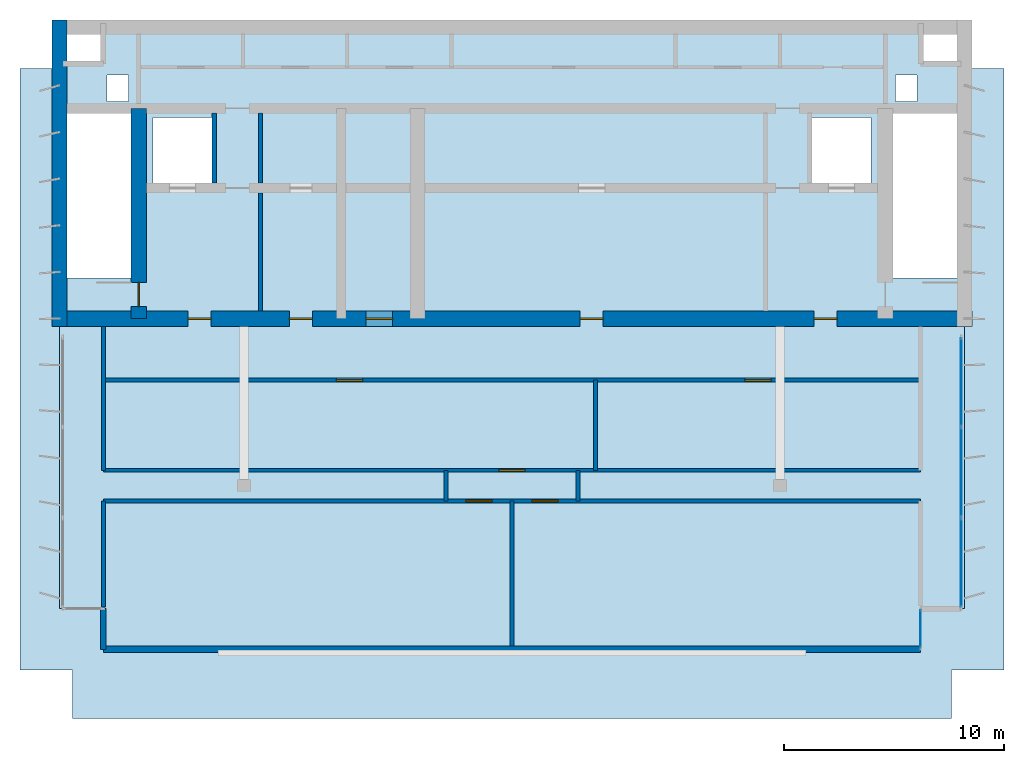
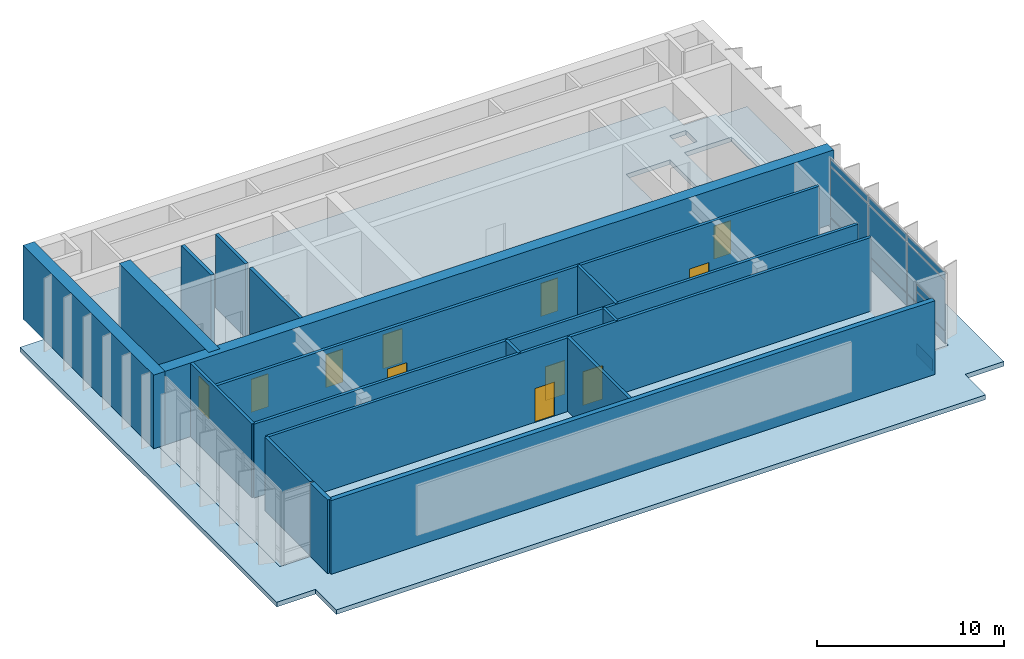
# One storey, part 3 of 5: 17 walls, 12 plates, 11 doors, 2 slabs, 11 openings, 2 elements without a shape of their own.
"""IFC4 building model written with IfcOpenShell, lengths in metres."""

from ifc_helpers import new_model, si_unit, direction, frame, frame_2d, origin, origin_2d, place, context, subcontext, project, spatial, polyline, rectangle, outline, extrude, material, layer, layer_set, type_object, element, fill, aggregate, save


model = new_model("IFC4")

# Units and contexts
model_context = context("Model", 3, precision=1e-05, world=origin(), true_north=direction((0.0, 1.0)))
body_context = subcontext(model_context, "Body", "Model", "MODEL_VIEW")
ifc_project = project(units=[si_unit("LENGTHUNIT", "METRE"), si_unit("AREAUNIT", "SQUARE_METRE"), si_unit("VOLUMEUNIT", "CUBIC_METRE"), si_unit("PLANEANGLEUNIT", "RADIAN"), si_unit("MASSUNIT", "GRAM", prefix="KILO")], contexts=[model_context])

# Site, building, storey
site_placement = place(None, origin())
site = spatial("IfcSite", under=ifc_project, at=site_placement, CompositionType="ELEMENT")
building_placement = place(site_placement, origin())
building = spatial("IfcBuilding", under=site, at=building_placement, Name="Caelmar Bay Residences", CompositionType="ELEMENT")
storey_placement = place(building_placement, frame((0.0, 0.0, 300.39990234375)))
storey = spatial("IfcBuildingStorey", under=building, at=storey_placement, Name="L82", CompositionType="ELEMENT", Elevation=300.39990234375)

# Curtain wall, plates
ifc_material_1 = material(Name="Anodised bronze aluminium 6063-T6 and laminated glass", Category="aluminium")
ifc_layer_1 = layer(ifc_material_1, 0.179931640625)
ifc_layer_set_1 = layer_set([ifc_layer_1], Name="Anodised bronze aluminium 6063-T6 and laminated glass")
curtain_wall_type_1 = type_object("IfcCurtainWallType", Name="CW6-NTC", PredefinedType="NOTDEFINED", material=ifc_layer_set_1)
curtain_wall_1_placement = place(storey_placement, origin())
curtain_wall_1 = element("IfcCurtainWall", 1, at=curtain_wall_1_placement, inside=storey, type_object=curtain_wall_type_1, Name="CW6 curtain wall L82", PredefinedType="NOTDEFINED")
ifc_material_2 = material(Name="Bronze-tinted laminated low-E hurricane glass 28 mm", Category="glass")
ifc_layer_2 = layer(ifc_material_2, 0.028076171875)
ifc_layer_set_2 = layer_set([ifc_layer_2], Name="Bronze-tinted laminated low-E hurricane glass 28 mm")
plate_type_1 = type_object("IfcPlateType", Name="CWP-GLZ28", PredefinedType="CURTAIN_PANEL", material=ifc_layer_set_2)
plate_1_placement = place(storey_placement, frame((57.5, 22.875, 0.080078125), z_axis=(0.0, 0.0, 1.0), x_axis=(0.0, 1.0, 0.0)))
plate_1 = element("IfcPlate", 2, at=plate_1_placement, type_object=plate_type_1, Name="CW6 panel 1.1", PredefinedType="CURTAIN_PANEL", context=body_context, shape_type="SweptSolid", body=[
    extrude(rectangle(XDim=1.68994140625, YDim=0.028076171875, at=origin_2d()), origin(), (0.0, 0.0, 1.0), 0.780029296875),
])
plate_2_placement = place(storey_placement, frame((57.5, 22.875, 0.940185546875), z_axis=(0.0, 0.0, 1.0), x_axis=(0.0, 1.0, 0.0)))
plate_2 = element("IfcPlate", 3, at=plate_2_placement, type_object=plate_type_1, Name="CW6 panel 1.2", PredefinedType="CURTAIN_PANEL", context=body_context, shape_type="SweptSolid", body=[
    extrude(rectangle(XDim=1.68994140625, YDim=0.028076171875, at=origin_2d()), origin(), (0.0, 0.0, 1.0), 3.27001953125),
])
plate_3_placement = place(storey_placement, frame((57.5, 22.875, 4.2900390625), z_axis=(0.0, 0.0, 1.0), x_axis=(0.0, 1.0, 0.0)))
plate_3 = element("IfcPlate", 4, at=plate_3_placement, type_object=plate_type_1, Name="CW6 panel 1.3", PredefinedType="CURTAIN_PANEL", context=body_context, shape_type="SweptSolid", body=[
    extrude(rectangle(XDim=1.68994140625, YDim=0.028076171875, at=origin_2d()), origin(), (0.0, 0.0, 1.0), 0.429931640625),
])
aggregate(curtain_wall_1, [plate_1, plate_2, plate_3])

ifc_layer_3 = layer(ifc_material_1, 0.179931640625)
ifc_layer_set_3 = layer_set([ifc_layer_3], Name="Anodised bronze aluminium 6063-T6 and laminated glass")
curtain_wall_type_2 = type_object("IfcCurtainWallType", Name="CW7-CRN", PredefinedType="NOTDEFINED", material=ifc_layer_set_3)
curtain_wall_2_placement = place(storey_placement, origin())
curtain_wall_2 = element("IfcCurtainWall", 5, at=curtain_wall_2_placement, inside=storey, type_object=curtain_wall_type_2, Name="CW7 curtain wall L82", PredefinedType="NOTDEFINED")
ifc_material_3 = material(Name="Bronze-tinted laminated low-E hurricane glass 32 mm", Category="glass")
ifc_layer_4 = layer(ifc_material_3, 0.031982421875)
ifc_layer_set_4 = layer_set([ifc_layer_4], Name="Bronze-tinted laminated low-E hurricane glass 32 mm")
plate_type_2 = type_object("IfcPlateType", Name="CWP-GLZ32", PredefinedType="CURTAIN_PANEL", material=ifc_layer_set_4)
plate_4_placement = place(storey_placement, frame((59.35009765625, 34.11328125, 0.080078125), z_axis=(0.0, 0.0, 1.0), x_axis=(0.0, -1.0, 0.0)))
plate_4 = element("IfcPlate", 6, at=plate_4_placement, type_object=plate_type_2, Name="CW7 panel 1.1", PredefinedType="CURTAIN_PANEL", context=body_context, shape_type="SweptSolid", body=[
    extrude(rectangle(XDim=4.013427734375, YDim=0.031982421875, at=origin_2d()), origin(), (0.0, 0.0, 1.0), 0.780029296875),
])
plate_5_placement = place(storey_placement, frame((59.35009765625, 34.11328125, 0.940185546875), z_axis=(0.0, 0.0, 1.0), x_axis=(0.0, -1.0, 0.0)))
plate_5 = element("IfcPlate", 7, at=plate_5_placement, type_object=plate_type_2, Name="CW7 panel 1.2", PredefinedType="CURTAIN_PANEL", context=body_context, shape_type="SweptSolid", body=[
    extrude(rectangle(XDim=4.013427734375, YDim=0.031982421875, at=origin_2d()), origin(), (0.0, 0.0, 1.0), 3.27001953125),
])
plate_6_placement = place(storey_placement, frame((59.35009765625, 34.11328125, 4.2900390625), z_axis=(0.0, 0.0, 1.0), x_axis=(0.0, -1.0, 0.0)))
plate_6 = element("IfcPlate", 8, at=plate_6_placement, type_object=plate_type_2, Name="CW7 panel 1.3", PredefinedType="CURTAIN_PANEL", context=body_context, shape_type="SweptSolid", body=[
    extrude(rectangle(XDim=4.013427734375, YDim=0.031982421875, at=origin_2d()), origin(), (0.0, 0.0, 1.0), 0.429931640625),
])
plate_7_placement = place(storey_placement, frame((59.35009765625, 30.0, 0.080078125), z_axis=(0.0, 0.0, 1.0), x_axis=(0.0, -1.0, 0.0)))
plate_7 = element("IfcPlate", 9, at=plate_7_placement, type_object=plate_type_2, Name="CW7 panel 2.1", PredefinedType="CURTAIN_PANEL", context=body_context, shape_type="SweptSolid", body=[
    extrude(rectangle(XDim=4.05322265625, YDim=0.031982421875, at=origin_2d()), origin(), (0.0, 0.0, 1.0), 0.780029296875),
])
plate_8_placement = place(storey_placement, frame((59.35009765625, 30.0, 0.940185546875), z_axis=(0.0, 0.0, 1.0), x_axis=(0.0, -1.0, 0.0)))
plate_8 = element("IfcPlate", 10, at=plate_8_placement, type_object=plate_type_2, Name="CW7 panel 2.2", PredefinedType="CURTAIN_PANEL", context=body_context, shape_type="SweptSolid", body=[
    extrude(rectangle(XDim=4.05322265625, YDim=0.031982421875, at=origin_2d()), origin(), (0.0, 0.0, 1.0), 3.27001953125),
])
plate_9_placement = place(storey_placement, frame((59.35009765625, 30.0, 4.2900390625), z_axis=(0.0, 0.0, 1.0), x_axis=(0.0, -1.0, 0.0)))
plate_9 = element("IfcPlate", 11, at=plate_9_placement, type_object=plate_type_2, Name="CW7 panel 2.3", PredefinedType="CURTAIN_PANEL", context=body_context, shape_type="SweptSolid", body=[
    extrude(rectangle(XDim=4.05322265625, YDim=0.031982421875, at=origin_2d()), origin(), (0.0, 0.0, 1.0), 0.429931640625),
])
plate_10_placement = place(storey_placement, frame((59.35009765625, 25.88671875, 0.080078125), z_axis=(0.0, 0.0, 1.0), x_axis=(0.0, -1.0, 0.0)))
plate_10 = element("IfcPlate", 12, at=plate_10_placement, type_object=plate_type_2, Name="CW7 panel 3.1", PredefinedType="CURTAIN_PANEL", context=body_context, shape_type="SweptSolid", body=[
    extrude(rectangle(XDim=4.013427734375, YDim=0.031982421875, at=origin_2d()), origin(), (0.0, 0.0, 1.0), 0.780029296875),
])
plate_11_placement = place(storey_placement, frame((59.35009765625, 25.88671875, 0.940185546875), z_axis=(0.0, 0.0, 1.0), x_axis=(0.0, -1.0, 0.0)))
plate_11 = element("IfcPlate", 13, at=plate_11_placement, type_object=plate_type_2, Name="CW7 panel 3.2", PredefinedType="CURTAIN_PANEL", context=body_context, shape_type="SweptSolid", body=[
    extrude(rectangle(XDim=4.013427734375, YDim=0.031982421875, at=origin_2d()), origin(), (0.0, 0.0, 1.0), 3.27001953125),
])
plate_12_placement = place(storey_placement, frame((59.35009765625, 25.88671875, 4.2900390625), z_axis=(0.0, 0.0, 1.0), x_axis=(0.0, -1.0, 0.0)))
plate_12 = element("IfcPlate", 14, at=plate_12_placement, type_object=plate_type_2, Name="CW7 panel 3.3", PredefinedType="CURTAIN_PANEL", context=body_context, shape_type="SweptSolid", body=[
    extrude(rectangle(XDim=4.013427734375, YDim=0.031982421875, at=origin_2d()), origin(), (0.0, 0.0, 1.0), 0.429931640625),
])
aggregate(curtain_wall_2, [plate_4, plate_5, plate_6, plate_7, plate_8, plate_9, plate_10, plate_11, plate_12])

# Slabs
ifc_material_4 = material(Name="Concrete f'c 40 MPa (6,000 psi)", Category="concrete")
ifc_layer_5 = layer(ifc_material_4, 0.300048828125)
ifc_layer_set_5 = layer_set([ifc_layer_5], Name="Concrete f'c 40 MPa (6,000 psi)")
slab_type_1 = type_object("IfcSlabType", Name="SLB-CRN-300", PredefinedType="ROOF", material=ifc_layer_set_5)
slab_1_placement = place(storey_placement, frame((0.0, 0.0, -0.2998046875)))
element("IfcSlab", 15, at=slab_1_placement, inside=storey, type_object=slab_type_1, Name="L82 Exterior Stepped Terrace Roof Slab 1", PredefinedType="ROOF", context=body_context, shape_type="SweptSolid", body=[
    extrude(outline(polyline([(59.5, 48.39990234375), (59.5, 23.800048828125), (57.5, 23.800048828125), (57.5, 21.800048828125), (20.300048828125, 21.800048828125), (20.300048828125, 23.800048828125), (18.300048828125, 23.800048828125), (18.300048828125, 48.39990234375), (16.5, 48.39990234375), (16.5, 21.0), (18.89990234375, 21.0), (18.89990234375, 18.800048828125), (58.89990234375, 18.800048828125), (58.89990234375, 21.0), (61.300048828125, 21.0), (61.300048828125, 48.39990234375), (59.5, 48.39990234375)])), origin(), (0.0, 0.0, 1.0), 0.2998046875),
])
ifc_layer_6 = layer(ifc_material_4, 0.300048828125)
ifc_layer_set_6 = layer_set([ifc_layer_6], Name="Concrete f'c 40 MPa (6,000 psi)")
slab_type_2 = type_object("IfcSlabType", Name="SLB-POD-300", PredefinedType="FLOOR", material=ifc_layer_set_6)
slab_2_placement = place(storey_placement, frame((0.0, 0.0, -0.2998046875)))
element("IfcSlab", 16, at=slab_2_placement, inside=storey, type_object=slab_type_2, Name="L82 Structural Floor Slab", PredefinedType="FLOOR", context=body_context, shape_type="SweptSolid", body=[
    extrude(outline(polyline([(20.300048828125, 21.800048828125), (57.5, 21.800048828125), (57.5, 23.800048828125), (59.5, 23.800048828125), (59.5, 48.60009765625), (57.5, 48.60009765625), (57.5, 50.60009765625), (20.300048828125, 50.60009765625), (20.300048828125, 48.60009765625), (18.300048828125, 48.60009765625), (18.300048828125, 23.800048828125), (20.300048828125, 23.800048828125), (20.300048828125, 21.800048828125)]), holes=[polyline([(18.64990234375, 38.85009765625), (21.550048828125, 38.85009765625), (21.550048828125, 46.35009765625), (18.64990234375, 46.35009765625), (18.64990234375, 38.85009765625)]), polyline([(56.25, 38.85009765625), (59.14990234375, 38.85009765625), (59.14990234375, 46.35009765625), (56.25, 46.35009765625), (56.25, 38.85009765625)]), polyline([(22.550048828125, 43.050048828125), (25.25, 43.050048828125), (25.25, 46.14990234375), (22.550048828125, 46.14990234375), (22.550048828125, 43.050048828125)]), polyline([(52.550048828125, 43.050048828125), (55.25, 43.050048828125), (55.25, 46.14990234375), (52.550048828125, 46.14990234375), (52.550048828125, 43.050048828125)]), polyline([(20.449951171875, 46.89990234375), (21.449951171875, 46.89990234375), (21.449951171875, 48.10009765625), (20.449951171875, 48.10009765625), (20.449951171875, 46.89990234375)]), polyline([(56.35009765625, 46.89990234375), (57.35009765625, 46.89990234375), (57.35009765625, 48.10009765625), (56.35009765625, 48.10009765625), (56.35009765625, 46.89990234375)])]), origin(), (0.0, 0.0, 1.0), 0.2998046875),
])

# Wall, openings, doors
ifc_material_5 = material(Name="Concrete f'c 55 MPa (8,000 psi)", Category="concrete")
ifc_layer_7 = layer(ifc_material_5, 0.699951171875)
ifc_layer_set_7 = layer_set([ifc_layer_7], Name="Concrete f'c 55 MPa (8,000 psi)")
wall_type_1 = type_object("IfcWallType", Name="SW-COR-700", PredefinedType="SHEAR", material=ifc_layer_set_7)
wall_1_placement = place(storey_placement, frame((17.949951171875, 37.0, 0.0), z_axis=(0.0, 0.0, 1.0), x_axis=(1.0, 0.0, 0.0)))
wall_1 = element("IfcWall", 17, at=wall_1_placement, inside=storey, type_object=wall_type_1, Name="L82 Rear Core South Shear Wall", PredefinedType="SHEAR", context=body_context, shape_type="SweptSolid", body=[
    extrude(rectangle(XDim=41.900146484375, YDim=0.699951171875, at=frame_2d((20.9501953125, 0.0))), origin(), (0.0, 0.0, 1.0), 4.800048828125),
])
opening_1_placement = place(wall_1_placement, frame((14.3125, 0.0, 0.0)))
opening_1 = element("IfcOpeningElement", 18, at=opening_1_placement, cuts=wall_1, Name="Opening D-L82-103", PredefinedType="OPENING", context=body_context, shape_type="SweptSolid", body=[
    extrude(rectangle(XDim=1.199951171875, YDim=2.199951171875, at=frame_2d((0.60009765625, 1.10009765625))), frame((0.0, 0.35986328125, 0.0), z_axis=(0.0, -1.0, 0.0), x_axis=(1.0, 0.0, 0.0)), (0.0, 0.0, 1.0), 0.719970703125),
])
opening_2_placement = place(wall_1_placement, frame((6.199951171875, 0.0, 0.0)))
opening_2 = element("IfcOpeningElement", 19, at=opening_2_placement, cuts=wall_1, Name="Opening D-L82-104", PredefinedType="OPENING", context=body_context, shape_type="SweptSolid", body=[
    extrude(rectangle(XDim=1.050048828125, YDim=2.14990234375, at=frame_2d((0.52490234375, 1.074951171875))), frame((0.0, 0.35986328125, 0.0), z_axis=(0.0, -1.0, 0.0), x_axis=(1.0, 0.0, 0.0)), (0.0, 0.0, 1.0), 0.719970703125),
])
opening_3_placement = place(wall_1_placement, frame((34.699951171875, 0.0, 0.0)))
opening_3 = element("IfcOpeningElement", 20, at=opening_3_placement, cuts=wall_1, Name="Opening D-L82-107", PredefinedType="OPENING", context=body_context, shape_type="SweptSolid", body=[
    extrude(rectangle(XDim=1.050048828125, YDim=2.14990234375, at=frame_2d((0.52490234375, 1.074951171875))), frame((0.0, 0.35986328125, 0.0), z_axis=(0.0, -1.0, 0.0), x_axis=(1.0, 0.0, 0.0)), (0.0, 0.0, 1.0), 0.719970703125),
])
opening_4_placement = place(wall_1_placement, frame((10.8125, 0.0, 0.0)))
opening_4 = element("IfcOpeningElement", 21, at=opening_4_placement, cuts=wall_1, Name="Opening D-L82-110", PredefinedType="OPENING", context=body_context, shape_type="SweptSolid", body=[
    extrude(rectangle(XDim=1.050048828125, YDim=2.14990234375, at=frame_2d((0.52490234375, 1.074951171875))), frame((0.0, 0.35986328125, 0.0), z_axis=(0.0, -1.0, 0.0), x_axis=(1.0, 0.0, 0.0)), (0.0, 0.0, 1.0), 0.719970703125),
])
opening_5_placement = place(wall_1_placement, frame((24.050048828125, 0.0, 0.0)))
opening_5 = element("IfcOpeningElement", 22, at=opening_5_placement, cuts=wall_1, Name="Opening D-L82-112", PredefinedType="OPENING", context=body_context, shape_type="SweptSolid", body=[
    extrude(rectangle(XDim=1.050048828125, YDim=2.14990234375, at=frame_2d((0.52490234375, 1.074951171875))), frame((0.0, 0.35986328125, 0.0), z_axis=(0.0, -1.0, 0.0), x_axis=(1.0, 0.0, 0.0)), (0.0, 0.0, 1.0), 0.719970703125),
])
ifc_material_6 = material(Name="Fire-rated steel and walnut architectural door assembly", Category="steel")
ifc_layer_8 = layer(ifc_material_6, 0.050048828125)
ifc_layer_set_8 = layer_set([ifc_layer_8], Name="Fire-rated steel and walnut architectural door assembly")
door_type_1 = type_object("IfcDoorType", Name="D-FSAE-1050", OperationType="NOTDEFINED", PredefinedType="DOOR", material=ifc_layer_set_8)
door_1_placement = place(opening_2_placement, origin())
door_1 = element("IfcDoor", 23, at=door_1_placement, inside=storey, type_object=door_type_1, Name="L82 Firefighting Lobby West Door", OperationType="SINGLE_SWING_LEFT", OverallHeight=2.14990234375, OverallWidth=1.050048828125, PredefinedType="DOOR", context=body_context, shape_type="SweptSolid", body=[
    extrude(rectangle(XDim=1.050048828125, YDim=2.14990234375, at=frame_2d((0.52490234375, 1.074951171875))), frame((0.0, 0.02490234375, 0.0), z_axis=(0.0, -1.0, 0.0), x_axis=(1.0, 0.0, 0.0)), (0.0, 0.0, 1.0), 0.050048828125),
])
fill(opening_2, door_1)
door_2_placement = place(opening_3_placement, origin())
door_2 = element("IfcDoor", 24, at=door_2_placement, inside=storey, type_object=door_type_1, Name="L82 Firefighting Lobby East Door", OperationType="SINGLE_SWING_RIGHT", OverallHeight=2.14990234375, OverallWidth=1.050048828125, PredefinedType="DOOR", context=body_context, shape_type="SweptSolid", body=[
    extrude(rectangle(XDim=1.050048828125, YDim=2.14990234375, at=frame_2d((0.52490234375, 1.074951171875))), frame((0.0, 0.02490234375, 0.0), z_axis=(0.0, -1.0, 0.0), x_axis=(1.0, 0.0, 0.0)), (0.0, 0.0, 1.0), 0.050048828125),
])
fill(opening_3, door_2)
door_3_placement = place(opening_4_placement, origin())
door_3 = element("IfcDoor", 25, at=door_3_placement, inside=storey, type_object=door_type_1, Name="L82 West Lift Lobby Door", OperationType="SINGLE_SWING_LEFT", OverallHeight=2.14990234375, OverallWidth=1.050048828125, PredefinedType="DOOR", context=body_context, shape_type="SweptSolid", body=[
    extrude(rectangle(XDim=1.050048828125, YDim=2.14990234375, at=frame_2d((0.52490234375, 1.074951171875))), frame((0.0, 0.02490234375, 0.0), z_axis=(0.0, -1.0, 0.0), x_axis=(1.0, 0.0, 0.0)), (0.0, 0.0, 1.0), 0.050048828125),
])
fill(opening_4, door_3)
door_4_placement = place(opening_5_placement, origin())
door_4 = element("IfcDoor", 26, at=door_4_placement, inside=storey, type_object=door_type_1, Name="L82 Passenger Lift Lobby Door", OperationType="SINGLE_SWING_LEFT", OverallHeight=2.14990234375, OverallWidth=1.050048828125, PredefinedType="DOOR", context=body_context, shape_type="SweptSolid", body=[
    extrude(rectangle(XDim=1.050048828125, YDim=2.14990234375, at=frame_2d((0.52490234375, 1.074951171875))), frame((0.0, 0.02490234375, 0.0), z_axis=(0.0, -1.0, 0.0), x_axis=(1.0, 0.0, 0.0)), (0.0, 0.0, 1.0), 0.050048828125),
])
fill(opening_5, door_4)
ifc_layer_9 = layer(ifc_material_6, 0.050048828125)
ifc_layer_set_9 = layer_set([ifc_layer_9], Name="Fire-rated steel and walnut architectural door assembly")
door_type_2 = type_object("IfcDoorType", Name="D-PLANT-1200", OperationType="NOTDEFINED", PredefinedType="DOOR", material=ifc_layer_set_9)
door_5_placement = place(opening_1_placement, origin())
door_5 = element("IfcDoor", 27, at=door_5_placement, inside=storey, type_object=door_type_2, Name="L82 Crown Pressurisation Fan Room Door", OperationType="SINGLE_SWING_RIGHT", OverallHeight=2.199951171875, OverallWidth=1.199951171875, PredefinedType="DOOR", context=body_context, shape_type="SweptSolid", body=[
    extrude(rectangle(XDim=1.199951171875, YDim=2.199951171875, at=frame_2d((0.60009765625, 1.10009765625))), frame((0.0, 0.02490234375, 0.0), z_axis=(0.0, -1.0, 0.0), x_axis=(1.0, 0.0, 0.0)), (0.0, 0.0, 1.0), 0.050048828125),
])
fill(opening_1, door_5)

# Wall
wall_2_placement = place(storey_placement, frame((18.300048828125, 36.64990234375, 0.0), z_axis=(0.0, 0.0, 1.0), x_axis=(0.0, 1.0, 0.0)))
element("IfcWall", 28, at=wall_2_placement, inside=storey, type_object=wall_type_1, Name="L82 Rear Core West Shear Wall", PredefinedType="SHEAR", context=body_context, shape_type="SweptSolid", body=[
    extrude(rectangle(XDim=13.9501953125, YDim=0.699951171875, at=frame_2d((6.97509765625, 0.0))), origin(), (0.0, 0.0, 1.0), 4.800048828125),
])

# Wall, opening, door
wall_3_placement = place(storey_placement, frame((21.89990234375, 37.0, 0.0), z_axis=(0.0, 0.0, 1.0), x_axis=(0.0, 1.0, 0.0)))
wall_3 = element("IfcWall", 29, at=wall_3_placement, inside=storey, type_object=wall_type_1, Name="L82 Core Structural Web Wall ST1E", PredefinedType="SHEAR", context=body_context, shape_type="SweptSolid", body=[
    extrude(rectangle(XDim=9.574951171875, YDim=0.699951171875, at=frame_2d((4.78759765625, 0.0))), origin(), (0.0, 0.0, 1.0), 4.800048828125),
])
opening_6_placement = place(wall_3_placement, frame((0.550048828125, 0.0, 0.0)))
opening_6 = element("IfcOpeningElement", 30, at=opening_6_placement, cuts=wall_3, Name="Opening D-L82-105", PredefinedType="OPENING", context=body_context, shape_type="SweptSolid", body=[
    extrude(rectangle(XDim=1.10009765625, YDim=2.14990234375, at=frame_2d((0.550048828125, 1.074951171875))), frame((0.0, 0.35986328125, 0.0), z_axis=(0.0, -1.0, 0.0), x_axis=(1.0, 0.0, 0.0)), (0.0, 0.0, 1.0), 0.719970703125),
])
ifc_layer_10 = layer(ifc_material_6, 0.050048828125)
ifc_layer_set_10 = layer_set([ifc_layer_10], Name="Fire-rated steel and walnut architectural door assembly")
door_type_3 = type_object("IfcDoorType", Name="D-STAIR-1100", OperationType="NOTDEFINED", PredefinedType="DOOR", material=ifc_layer_set_10)
door_6_placement = place(opening_6_placement, origin())
door_6 = element("IfcDoor", 31, at=door_6_placement, inside=storey, type_object=door_type_3, Name="L82 Firefighting Lobby West Door", OperationType="SINGLE_SWING_RIGHT", OverallHeight=2.14990234375, OverallWidth=1.10009765625, PredefinedType="DOOR", context=body_context, shape_type="SweptSolid", body=[
    extrude(rectangle(XDim=1.10009765625, YDim=2.14990234375, at=frame_2d((0.550048828125, 1.074951171875))), frame((0.0, 0.02490234375, 0.0), z_axis=(0.0, -1.0, 0.0), x_axis=(1.0, 0.0, 0.0)), (0.0, 0.0, 1.0), 0.050048828125),
])
fill(opening_6, door_6)

# Walls
ifc_material_7 = material(Name="Double-stud acoustic fire-rated gypsum partition 180 mm")
ifc_layer_11 = layer(ifc_material_7, 0.179931640625)
ifc_layer_set_11 = layer_set([ifc_layer_11], Name="Double-stud acoustic fire-rated gypsum partition 180 mm")
wall_type_2 = type_object("IfcWallType", Name="W-COR-200", PredefinedType="PARTITIONING", material=ifc_layer_set_11)
wall_4_placement = place(storey_placement, frame((20.300048828125, 23.885009765625, 0.0), z_axis=(0.0, 0.0, 1.0), x_axis=(0.0, 1.0, 0.0)))
element("IfcWall", 32, at=wall_4_placement, inside=storey, type_object=wall_type_2, Name="L82 Partition Wall V001", PredefinedType="PARTITIONING", context=body_context, shape_type="SweptSolid", body=[
    extrude(rectangle(XDim=4.81494140625, YDim=0.179931640625, at=frame_2d((2.407470703125, 0.0))), origin(), (0.0, 0.0, 1.0), 4.800048828125),
])
wall_5_placement = place(storey_placement, frame((20.300048828125, 30.10009765625, 0.0), z_axis=(0.0, 0.0, 1.0), x_axis=(0.0, 1.0, 0.0)))
element("IfcWall", 33, at=wall_5_placement, inside=storey, type_object=wall_type_2, Name="L82 Partition Wall V002", PredefinedType="PARTITIONING", context=body_context, shape_type="SweptSolid", body=[
    extrude(rectangle(XDim=6.554931640625, YDim=0.179931640625, at=frame_2d((3.27734375, 0.0))), origin(), (0.0, 0.0, 1.0), 4.800048828125),
])
wall_6_placement = place(storey_placement, frame((27.449951171875, 43.169921875, 0.0), z_axis=(0.0, 0.0, 1.0), x_axis=(0.0, 1.0, 0.0)))
element("IfcWall", 34, at=wall_6_placement, inside=storey, type_object=wall_type_2, Name="L82 Partition Wall V007", PredefinedType="PARTITIONING", context=body_context, shape_type="SweptSolid", body=[
    extrude(rectangle(XDim=3.18505859375, YDim=0.179931640625, at=frame_2d((1.592529296875, 0.0))), origin(), (0.0, 0.0, 1.0), 4.800048828125),
])
wall_7_placement = place(storey_placement, frame((35.89990234375, 28.699951171875, 0.0), z_axis=(0.0, 0.0, 1.0), x_axis=(0.0, 1.0, 0.0)))
element("IfcWall", 35, at=wall_7_placement, inside=storey, type_object=wall_type_2, Name="L82 Partition Wall V009", PredefinedType="PARTITIONING", context=body_context, shape_type="SweptSolid", body=[
    extrude(rectangle(XDim=1.400146484375, YDim=0.179931640625, at=frame_2d((0.7001953125, 0.0))), origin(), (0.0, 0.0, 1.0), 4.800048828125),
])
wall_8_placement = place(storey_placement, frame((38.89990234375, 22.094970703125, 0.0), z_axis=(0.0, 0.0, 1.0), x_axis=(0.0, 1.0, 0.0)))
element("IfcWall", 36, at=wall_8_placement, inside=storey, type_object=wall_type_2, Name="L82 Partition Wall V011", PredefinedType="PARTITIONING", context=body_context, shape_type="SweptSolid", body=[
    extrude(rectangle(XDim=6.60498046875, YDim=0.179931640625, at=frame_2d((3.302490234375, 0.0))), origin(), (0.0, 0.0, 1.0), 4.800048828125),
])
wall_9_placement = place(storey_placement, frame((41.89990234375, 28.699951171875, 0.0), z_axis=(0.0, 0.0, 1.0), x_axis=(0.0, 1.0, 0.0)))
element("IfcWall", 37, at=wall_9_placement, inside=storey, type_object=wall_type_2, Name="L82 Partition Wall V012", PredefinedType="PARTITIONING", context=body_context, shape_type="SweptSolid", body=[
    extrude(rectangle(XDim=1.400146484375, YDim=0.179931640625, at=frame_2d((0.7001953125, 0.0))), origin(), (0.0, 0.0, 1.0), 4.800048828125),
])
wall_10_placement = place(storey_placement, frame((42.699951171875, 30.10009765625, 0.0), z_axis=(0.0, 0.0, 1.0), x_axis=(0.0, 1.0, 0.0)))
element("IfcWall", 38, at=wall_10_placement, inside=storey, type_object=wall_type_2, Name="L82 Partition Wall V013", PredefinedType="PARTITIONING", context=body_context, shape_type="SweptSolid", body=[
    extrude(rectangle(XDim=4.099853515625, YDim=0.179931640625, at=frame_2d((2.0498046875, 0.0))), origin(), (0.0, 0.0, 1.0), 4.800048828125),
])

# Wall, openings, doors
wall_11_placement = place(storey_placement, frame((20.300048828125, 28.699951171875, 0.0), z_axis=(0.0, 0.0, 1.0), x_axis=(1.0, 0.0, 0.0)))
wall_11 = element("IfcWall", 39, at=wall_11_placement, inside=storey, type_object=wall_type_2, Name="L82 Partition Wall H022", PredefinedType="PARTITIONING", context=body_context, shape_type="SweptSolid", body=[
    extrude(rectangle(XDim=37.199951171875, YDim=0.179931640625, at=frame_2d((18.60009765625, 0.0))), origin(), (0.0, 0.0, 1.0), 4.800048828125),
])
opening_7_placement = place(wall_11_placement, frame((16.5, 0.0, 0.0)))
opening_7 = element("IfcOpeningElement", 40, at=opening_7_placement, cuts=wall_11, Name="Opening D-L82-125", PredefinedType="OPENING", context=body_context, shape_type="SweptSolid", body=[
    extrude(rectangle(XDim=1.199951171875, YDim=2.199951171875, at=frame_2d((0.60009765625, 1.10009765625))), frame((0.0, 0.099853515625, 0.0), z_axis=(0.0, -1.0, 0.0), x_axis=(1.0, 0.0, 0.0)), (0.0, 0.0, 1.0), 0.199951171875),
])
opening_8_placement = place(wall_11_placement, frame((19.5, 0.0, 0.0)))
opening_8 = element("IfcOpeningElement", 41, at=opening_8_placement, cuts=wall_11, Name="Opening D-L82-126", PredefinedType="OPENING", context=body_context, shape_type="SweptSolid", body=[
    extrude(rectangle(XDim=1.199951171875, YDim=2.199951171875, at=frame_2d((0.60009765625, 1.10009765625))), frame((0.0, 0.099853515625, 0.0), z_axis=(0.0, -1.0, 0.0), x_axis=(1.0, 0.0, 0.0)), (0.0, 0.0, 1.0), 0.199951171875),
])
door_7_placement = place(opening_7_placement, origin())
door_7 = element("IfcDoor", 42, at=door_7_placement, inside=storey, type_object=door_type_2, Name="L82 Crown Heat Recovery Plant Room L82 Door", OperationType="SINGLE_SWING_RIGHT", OverallHeight=2.199951171875, OverallWidth=1.199951171875, PredefinedType="DOOR", context=body_context, shape_type="SweptSolid", body=[
    extrude(rectangle(XDim=1.199951171875, YDim=2.199951171875, at=frame_2d((0.60009765625, 1.10009765625))), frame((0.0, 0.02490234375, 0.0), z_axis=(0.0, -1.0, 0.0), x_axis=(1.0, 0.0, 0.0)), (0.0, 0.0, 1.0), 0.050048828125),
])
fill(opening_7, door_7)
door_8_placement = place(opening_8_placement, origin())
door_8 = element("IfcDoor", 43, at=door_8_placement, inside=storey, type_object=door_type_2, Name="L82 Crown Electrical Switchgear Plant Room L82 Door", OperationType="SINGLE_SWING_LEFT", OverallHeight=2.199951171875, OverallWidth=1.199951171875, PredefinedType="DOOR", context=body_context, shape_type="SweptSolid", body=[
    extrude(rectangle(XDim=1.199951171875, YDim=2.199951171875, at=frame_2d((0.60009765625, 1.10009765625))), frame((0.0, 0.02490234375, 0.0), z_axis=(0.0, -1.0, 0.0), x_axis=(1.0, 0.0, 0.0)), (0.0, 0.0, 1.0), 0.050048828125),
])
fill(opening_8, door_8)

# Wall, opening, door
wall_12_placement = place(storey_placement, frame((20.300048828125, 30.10009765625, 0.0), z_axis=(0.0, 0.0, 1.0), x_axis=(1.0, 0.0, 0.0)))
wall_12 = element("IfcWall", 44, at=wall_12_placement, inside=storey, type_object=wall_type_2, Name="L82 Partition Wall H023", PredefinedType="PARTITIONING", context=body_context, shape_type="SweptSolid", body=[
    extrude(rectangle(XDim=37.199951171875, YDim=0.179931640625, at=frame_2d((18.60009765625, 0.0))), origin(), (0.0, 0.0, 1.0), 4.800048828125),
])
opening_9_placement = place(wall_12_placement, frame((18.0, 0.0, 0.0)))
opening_9 = element("IfcOpeningElement", 45, at=opening_9_placement, cuts=wall_12, Name="Opening D-L82-124", PredefinedType="OPENING", context=body_context, shape_type="SweptSolid", body=[
    extrude(rectangle(XDim=1.199951171875, YDim=2.199951171875, at=frame_2d((0.60009765625, 1.10009765625))), frame((0.0, 0.099853515625, 0.0), z_axis=(0.0, -1.0, 0.0), x_axis=(1.0, 0.0, 0.0)), (0.0, 0.0, 1.0), 0.199951171875),
])
door_9_placement = place(opening_9_placement, origin())
door_9 = element("IfcDoor", 46, at=door_9_placement, inside=storey, type_object=door_type_2, Name="L82 Crown Duct Plant Room L82 Door", OperationType="SINGLE_SWING_LEFT", OverallHeight=2.199951171875, OverallWidth=1.199951171875, PredefinedType="DOOR", context=body_context, shape_type="SweptSolid", body=[
    extrude(rectangle(XDim=1.199951171875, YDim=2.199951171875, at=frame_2d((0.60009765625, 1.10009765625))), frame((0.0, 0.02490234375, 0.0), z_axis=(0.0, -1.0, 0.0), x_axis=(1.0, 0.0, 0.0)), (0.0, 0.0, 1.0), 0.050048828125),
])
fill(opening_9, door_9)

# Wall, openings, doors
wall_13_placement = place(storey_placement, frame((20.300048828125, 34.199951171875, 0.0), z_axis=(0.0, 0.0, 1.0), x_axis=(1.0, 0.0, 0.0)))
wall_13 = element("IfcWall", 47, at=wall_13_placement, inside=storey, type_object=wall_type_2, Name="L82 Partition Wall H024", PredefinedType="PARTITIONING", context=body_context, shape_type="SweptSolid", body=[
    extrude(rectangle(XDim=37.199951171875, YDim=0.179931640625, at=frame_2d((18.60009765625, 0.0))), origin(), (0.0, 0.0, 1.0), 4.800048828125),
])
opening_10_placement = place(wall_13_placement, frame((10.60009765625, 0.0, 0.0)))
opening_10 = element("IfcOpeningElement", 48, at=opening_10_placement, cuts=wall_13, Name="Opening D-L82-122", PredefinedType="OPENING", context=body_context, shape_type="SweptSolid", body=[
    extrude(rectangle(XDim=1.199951171875, YDim=2.199951171875, at=frame_2d((0.60009765625, 1.10009765625))), frame((0.0, 0.099853515625, 0.0), z_axis=(0.0, -1.0, 0.0), x_axis=(1.0, 0.0, 0.0)), (0.0, 0.0, 1.0), 0.199951171875),
])
opening_11_placement = place(wall_13_placement, frame((29.199951171875, 0.0, 0.0)))
opening_11 = element("IfcOpeningElement", 49, at=opening_11_placement, cuts=wall_13, Name="Opening D-L82-123", PredefinedType="OPENING", context=body_context, shape_type="SweptSolid", body=[
    extrude(rectangle(XDim=1.199951171875, YDim=2.199951171875, at=frame_2d((0.60009765625, 1.10009765625))), frame((0.0, 0.099853515625, 0.0), z_axis=(0.0, -1.0, 0.0), x_axis=(1.0, 0.0, 0.0)), (0.0, 0.0, 1.0), 0.199951171875),
])
door_10_placement = place(opening_10_placement, origin())
door_10 = element("IfcDoor", 50, at=door_10_placement, inside=storey, type_object=door_type_2, Name="L82 Crown Ventilation Plant Room L82 Door", OperationType="SINGLE_SWING_LEFT", OverallHeight=2.199951171875, OverallWidth=1.199951171875, PredefinedType="DOOR", context=body_context, shape_type="SweptSolid", body=[
    extrude(rectangle(XDim=1.199951171875, YDim=2.199951171875, at=frame_2d((0.60009765625, 1.10009765625))), frame((0.0, 0.02490234375, 0.0), z_axis=(0.0, -1.0, 0.0), x_axis=(1.0, 0.0, 0.0)), (0.0, 0.0, 1.0), 0.050048828125),
])
fill(opening_10, door_10)
door_11_placement = place(opening_11_placement, origin())
door_11 = element("IfcDoor", 51, at=door_11_placement, inside=storey, type_object=door_type_2, Name="L82 Crown Standby Controls Plant Room L82 Door", OperationType="SINGLE_SWING_RIGHT", OverallHeight=2.199951171875, OverallWidth=1.199951171875, PredefinedType="DOOR", context=body_context, shape_type="SweptSolid", body=[
    extrude(rectangle(XDim=1.199951171875, YDim=2.199951171875, at=frame_2d((0.60009765625, 1.10009765625))), frame((0.0, 0.02490234375, 0.0), z_axis=(0.0, -1.0, 0.0), x_axis=(1.0, 0.0, 0.0)), (0.0, 0.0, 1.0), 0.050048828125),
])
fill(opening_11, door_11)

# Walls
ifc_material_8 = material(Name="Precast concrete f'c 40 MPa (6,000 psi)", Category="concrete")
ifc_layer_12 = layer(ifc_material_8, 0.25)
ifc_layer_set_12 = layer_set([ifc_layer_12], Name="Precast concrete f'c 40 MPa (6,000 psi)")
wall_type_3 = type_object("IfcWallType", Name="W-EXT-250", PredefinedType="ELEMENTEDWALL", material=ifc_layer_set_12)
wall_14_placement = place(storey_placement, frame((20.300048828125, 23.800048828125, 0.0), z_axis=(0.0, 0.0, 1.0), x_axis=(0.0, -1.0, 0.0)))
element("IfcWall", 52, at=wall_14_placement, inside=storey, type_object=wall_type_3, Name="L82 SW Notch Return Wall", PredefinedType="ELEMENTEDWALL", context=body_context, shape_type="SweptSolid", body=[
    extrude(rectangle(XDim=1.85009765625, YDim=0.25, at=frame_2d((0.925048828125, 0.0))), origin(), (0.0, 0.0, 1.0), 4.800048828125),
])
ifc_layer_13 = layer(ifc_material_8, 0.300048828125)
ifc_layer_set_13 = layer_set([ifc_layer_13], Name="Precast concrete f'c 40 MPa (6,000 psi)")
wall_type_4 = type_object("IfcWallType", Name="W-EXT-300", PredefinedType="STANDARD", material=ifc_layer_set_13)
wall_15_placement = place(storey_placement, frame((57.5, 21.949951171875, 0.0), z_axis=(0.0, 0.0, 1.0), x_axis=(-1.0, 0.0, 0.0)))
element("IfcWall", 53, at=wall_15_placement, inside=storey, type_object=wall_type_4, Name="L82 South Bayfront Exterior Wall", PredefinedType="STANDARD", context=body_context, shape_type="SweptSolid", body=[
    extrude(rectangle(XDim=37.199951171875, YDim=0.300048828125, at=frame_2d((18.60009765625, 0.0))), origin(), (0.0, 0.0, 1.0), 4.800048828125),
])
ifc_material_9 = material(Name="Fire-rated masonry and gypsum shaftliner assembly 200 mm", Category="masonry")
ifc_layer_14 = layer(ifc_material_9, 0.199951171875)
ifc_layer_set_14 = layer_set([ifc_layer_14], Name="Fire-rated masonry and gypsum shaftliner assembly 200 mm")
wall_type_5 = type_object("IfcWallType", Name="W-FSAE-200", PredefinedType="PARTITIONING", material=ifc_layer_set_14)
wall_16_placement = place(storey_placement, frame((25.35009765625, 43.169921875, 0.0), z_axis=(0.0, 0.0, 1.0), x_axis=(0.0, 1.0, 0.0)))
element("IfcWall", 54, at=wall_16_placement, inside=storey, type_object=wall_type_5, Name="L82 Partition Wall V004", PredefinedType="PARTITIONING", context=body_context, shape_type="SweptSolid", body=[
    extrude(rectangle(XDim=3.18505859375, YDim=0.199951171875, at=frame_2d((1.592529296875, 0.0))), origin(), (0.0, 0.0, 1.0), 4.800048828125),
])
wall_17_placement = place(storey_placement, frame((27.449951171875, 37.344970703125, 0.0), z_axis=(0.0, 0.0, 1.0), x_axis=(0.0, 1.0, 0.0)))
element("IfcWall", 55, at=wall_17_placement, inside=storey, type_object=wall_type_5, Name="L82 Partition Wall V006", PredefinedType="PARTITIONING", context=body_context, shape_type="SweptSolid", body=[
    extrude(rectangle(XDim=5.385009765625, YDim=0.199951171875, at=frame_2d((2.6923828125, 0.0))), origin(), (0.0, 0.0, 1.0), 4.800048828125),
])

save(model, "model.ifc")
